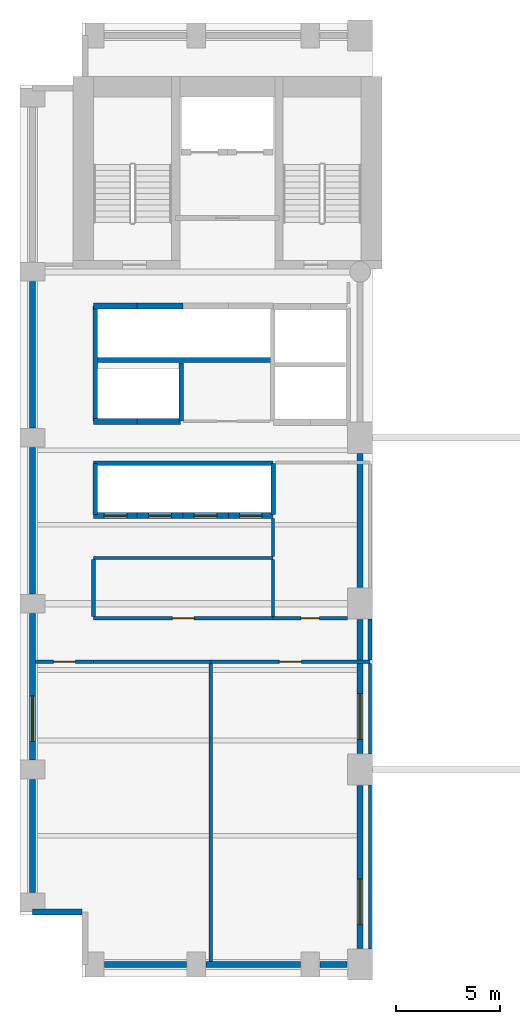
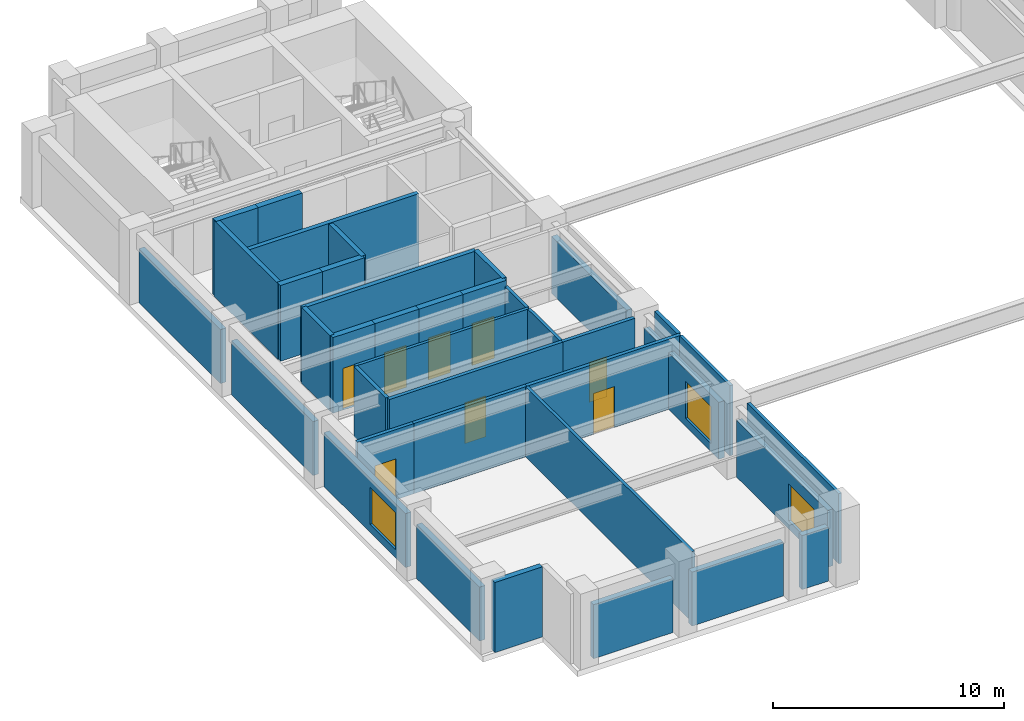
# One storey, part 2 of 7: 38 walls, 8 doors, 3 windows, 11 openings.
"""IFC4 building model written with IfcOpenShell, lengths in metres."""

from ifc_helpers import new_model, si_unit, direction, frame, frame_2d, origin, place, context, subcontext, project, spatial, rectangle, extrude, material, layer, layer_set, type_object, element, fill, save


model = new_model("IFC4")

# Units and contexts
model_context = context("Model", 3, precision=1e-05, world=origin(), true_north=direction((0.0, 1.0)))
body_context = subcontext(model_context, "Body", "Model", "MODEL_VIEW")
ifc_project = project(units=[si_unit("LENGTHUNIT", "METRE"), si_unit("AREAUNIT", "SQUARE_METRE"), si_unit("VOLUMEUNIT", "CUBIC_METRE"), si_unit("PLANEANGLEUNIT", "RADIAN"), si_unit("MASSUNIT", "GRAM", prefix="KILO")], contexts=[model_context])

# Site, building, storey
site_placement = place(None, origin())
site = spatial("IfcSite", under=ifc_project, at=site_placement, CompositionType="ELEMENT")
building_placement = place(site_placement, origin())
building = spatial("IfcBuilding", under=site, at=building_placement, Name="Sulina Concourse Tower", CompositionType="ELEMENT")
storey_placement = place(building_placement, frame((0.0, 0.0, 26.60009765625)))
storey = spatial("IfcBuildingStorey", under=building, at=storey_placement, Name="L06", CompositionType="ELEMENT", Elevation=26.60009765625)

# Walls
ifc_material_1 = material(Name="Concrete C50/60", Category="concrete")
ifc_layer_1 = layer(ifc_material_1, 0.219970703125)
ifc_layer_set_1 = layer_set([ifc_layer_1], Name="Concrete C50/60")
wall_type_1 = type_object("IfcWallType", Name="Core Lift Hoistway Divider Wall 220mm", PredefinedType="SOLIDWALL", material=ifc_layer_set_1)
wall_1_placement = place(storey_placement, frame((3.550048828125, 29.75, 0.0), z_axis=(0.0, 0.0, 1.0), x_axis=(1.0, 0.0, 0.0)))
element("IfcWall", 1, at=wall_1_placement, inside=storey, type_object=wall_type_1, Name="L06 shaft divider wall HW-LP3-S", PredefinedType="SOLIDWALL", context=body_context, shape_type="SweptSolid", body=[
    extrude(rectangle(XDim=8.64990234375, YDim=0.219970703125, at=frame_2d((4.324951171875, 0.0))), origin(), (0.0, 0.0, 1.0), 4.0),
])
wall_2_placement = place(storey_placement, frame((3.6298828125, 26.800048828125, 0.0), z_axis=(0.0, 0.0, 1.0), x_axis=(0.0, 1.0, 0.0)))
element("IfcWall", 2, at=wall_2_placement, inside=storey, type_object=wall_type_1, Name="L06 shaft divider wall HW-LP3-W", PredefinedType="SOLIDWALL", context=body_context, shape_type="SweptSolid", body=[
    extrude(rectangle(XDim=5.550048828125, YDim=0.219970703125, at=frame_2d((2.77490234375, 0.0))), origin(), (0.0, 0.0, 1.0), 4.0),
])
wall_3_placement = place(storey_placement, frame((7.780029296875, 26.800048828125, 0.0), z_axis=(0.0, 0.0, 1.0), x_axis=(0.0, 1.0, 0.0)))
element("IfcWall", 3, at=wall_3_placement, inside=storey, type_object=wall_type_1, Name="L06 shaft divider wall HW-EXP-E", PredefinedType="SOLIDWALL", context=body_context, shape_type="SweptSolid", body=[
    extrude(rectangle(XDim=2.800048828125, YDim=0.219970703125, at=frame_2d((1.39990234375, 0.0))), origin(), (0.0, 0.0, 1.0), 4.0),
])
wall_4_placement = place(storey_placement, frame((3.550048828125, 24.780029296875, 0.0), z_axis=(0.0, 0.0, 1.0), x_axis=(1.0, 0.0, 0.0)))
element("IfcWall", 4, at=wall_4_placement, inside=storey, type_object=wall_type_1, Name="L06 shaft divider wall HW-LP1-N", PredefinedType="SOLIDWALL", context=body_context, shape_type="SweptSolid", body=[
    extrude(rectangle(XDim=8.64990234375, YDim=0.219970703125, at=frame_2d((4.324951171875, 0.0))), origin(), (0.0, 0.0, 1.0), 4.0),
])
for number, where, z_axis, x_axis, name in (
    (5, (3.6298828125, 22.300048828125, 0.0), (0.0, 0.0, 1.0), (0.0, 1.0, 0.0), "L06 shaft divider wall HW-LP1-W"),
    (6, (12.219970703125, 22.300048828125, 0.0), (0.0, 0.0, 1.0), (0.0, 1.0, 0.0), "L06 shaft divider wall HW-LP1-E"),
):
    element("IfcWall", number, at=place(storey_placement, frame(where, z_axis=z_axis, x_axis=x_axis)), inside=storey, type_object=wall_type_1, Name=name, PredefinedType="SOLIDWALL", context=body_context, shape_type="SweptSolid", body=[
        extrude(rectangle(XDim=2.449951171875, YDim=0.219970703125, at=frame_2d((1.22509765625, 0.0))), origin(), (0.0, 0.0, 1.0), 4.0),
    ])

# Wall, opening, door
ifc_material_2 = material(Name="Concrete C50/60", Category="concrete")
ifc_layer_2 = layer(ifc_material_2, 0.300048828125)
ifc_layer_set_2 = layer_set([ifc_layer_2], Name="Concrete C50/60")
wall_type_2 = type_object("IfcWallType", Name="Core Lift Hoistway Wall 300mm", PredefinedType="SOLIDWALL", material=ifc_layer_set_2)
wall_5_placement = place(storey_placement, frame((5.64990234375, 22.25, 0.0), z_axis=(0.0, 0.0, 1.0), x_axis=(-1.0, 0.0, 0.0)))
wall_5 = element("IfcWall", 7, at=wall_5_placement, inside=storey, type_object=wall_type_2, Name="L06 hoistway enclosure wall LP-01", PredefinedType="SOLIDWALL", context=body_context, shape_type="SweptSolid", body=[
    extrude(rectangle(XDim=2.099853515625, YDim=0.300048828125, at=frame_2d((1.0498046875, 0.0))), origin(), (0.0, 0.0, 1.0), 4.0),
])
opening_1_placement = place(wall_5_placement, frame((0.5, 0.0, 0.0)))
opening_1 = element("IfcOpeningElement", 8, at=opening_1_placement, cuts=wall_5, Name="Opening LD-01", PredefinedType="OPENING", context=body_context, shape_type="SweptSolid", body=[
    extrude(rectangle(XDim=1.10009765625, YDim=2.199951171875, at=frame_2d((0.550048828125, 1.10009765625))), frame((0.0, 0.159912109375, 0.0), z_axis=(0.0, -1.0, 0.0), x_axis=(1.0, 0.0, 0.0)), (0.0, 0.0, 1.0), 0.320068359375),
])
ifc_material_3 = material(Name="Stainless steel lift landing door", Category="steel")
ifc_layer_3 = layer(ifc_material_3, 0.050048828125)
ifc_layer_set_3 = layer_set([ifc_layer_3], Name="Stainless steel lift landing door")
door_type_1 = type_object("IfcDoorType", Name="Passenger Lift Sliding Landing Door 1100x2200", OperationType="SLIDING_TO_LEFT", PredefinedType="DOOR", material=ifc_layer_set_3)
door_1_placement = place(opening_1_placement, origin())
door_1 = element("IfcDoor", 9, at=door_1_placement, inside=storey, type_object=door_type_1, Name="L06 lift landing sliding door LP-01", OperationType="SLIDING_TO_LEFT", OverallHeight=2.199951171875, OverallWidth=1.10009765625, PredefinedType="DOOR", context=body_context, shape_type="SweptSolid", body=[
    extrude(rectangle(XDim=1.10009765625, YDim=2.199951171875, at=frame_2d((0.550048828125, 1.10009765625))), frame((0.0, 0.02490234375, 0.0), z_axis=(0.0, -1.0, 0.0), x_axis=(1.0, 0.0, 0.0)), (0.0, 0.0, 1.0), 0.050048828125),
])
fill(opening_1, door_1)

wall_6_placement = place(storey_placement, frame((7.85009765625, 22.25, 0.0), z_axis=(0.0, 0.0, 1.0), x_axis=(-1.0, 0.0, 0.0)))
wall_6 = element("IfcWall", 10, at=wall_6_placement, inside=storey, type_object=wall_type_2, Name="L06 hoistway enclosure wall LP-02", PredefinedType="SOLIDWALL", context=body_context, shape_type="SweptSolid", body=[
    extrude(rectangle(XDim=2.2001953125, YDim=0.300048828125, at=frame_2d((1.10009765625, 0.0))), origin(), (0.0, 0.0, 1.0), 4.0),
])
opening_2_placement = place(wall_6_placement, frame((0.550048828125, 0.0, 0.0)))
opening_2 = element("IfcOpeningElement", 11, at=opening_2_placement, cuts=wall_6, Name="Opening LD-01", PredefinedType="OPENING", context=body_context, shape_type="SweptSolid", body=[
    extrude(rectangle(XDim=1.10009765625, YDim=2.199951171875, at=frame_2d((0.550048828125, 1.10009765625))), frame((0.0, 0.159912109375, 0.0), z_axis=(0.0, -1.0, 0.0), x_axis=(1.0, 0.0, 0.0)), (0.0, 0.0, 1.0), 0.320068359375),
])
door_2_placement = place(opening_2_placement, origin())
door_2 = element("IfcDoor", 12, at=door_2_placement, inside=storey, type_object=door_type_1, Name="L06 lift landing sliding door LP-02", OperationType="SLIDING_TO_RIGHT", OverallHeight=2.199951171875, OverallWidth=1.10009765625, PredefinedType="DOOR", context=body_context, shape_type="SweptSolid", body=[
    extrude(rectangle(XDim=1.10009765625, YDim=2.199951171875, at=frame_2d((0.550048828125, 1.10009765625))), frame((0.0, 0.02490234375, 0.0), z_axis=(0.0, -1.0, 0.0), x_axis=(1.0, 0.0, 0.0)), (0.0, 0.0, 1.0), 0.050048828125),
])
fill(opening_2, door_2)

wall_7_placement = place(storey_placement, frame((10.050048828125, 22.25, 0.0), z_axis=(0.0, 0.0, 1.0), x_axis=(-1.0, 0.0, 0.0)))
wall_7 = element("IfcWall", 13, at=wall_7_placement, inside=storey, type_object=wall_type_2, Name="L06 hoistway enclosure wall LP-03", PredefinedType="SOLIDWALL", context=body_context, shape_type="SweptSolid", body=[
    extrude(rectangle(XDim=2.199951171875, YDim=0.300048828125, at=frame_2d((1.10009765625, 0.0))), origin(), (0.0, 0.0, 1.0), 4.0),
])
opening_3_placement = place(wall_7_placement, frame((0.550048828125, 0.0, 0.0)))
opening_3 = element("IfcOpeningElement", 14, at=opening_3_placement, cuts=wall_7, Name="Opening LD-01", PredefinedType="OPENING", context=body_context, shape_type="SweptSolid", body=[
    extrude(rectangle(XDim=1.10009765625, YDim=2.199951171875, at=frame_2d((0.550048828125, 1.10009765625))), frame((0.0, 0.159912109375, 0.0), z_axis=(0.0, -1.0, 0.0), x_axis=(1.0, 0.0, 0.0)), (0.0, 0.0, 1.0), 0.320068359375),
])
door_3_placement = place(opening_3_placement, origin())
door_3 = element("IfcDoor", 15, at=door_3_placement, inside=storey, type_object=door_type_1, Name="L06 lift landing sliding door LP-03", OperationType="SLIDING_TO_LEFT", OverallHeight=2.199951171875, OverallWidth=1.10009765625, PredefinedType="DOOR", context=body_context, shape_type="SweptSolid", body=[
    extrude(rectangle(XDim=1.10009765625, YDim=2.199951171875, at=frame_2d((0.550048828125, 1.10009765625))), frame((0.0, 0.02490234375, 0.0), z_axis=(0.0, -1.0, 0.0), x_axis=(1.0, 0.0, 0.0)), (0.0, 0.0, 1.0), 0.050048828125),
])
fill(opening_3, door_3)

wall_8_placement = place(storey_placement, frame((12.199951171875, 22.25, 0.0), z_axis=(0.0, 0.0, 1.0), x_axis=(-1.0, 0.0, 0.0)))
wall_8 = element("IfcWall", 16, at=wall_8_placement, inside=storey, type_object=wall_type_2, Name="L06 hoistway enclosure wall LP-04", PredefinedType="SOLIDWALL", context=body_context, shape_type="SweptSolid", body=[
    extrude(rectangle(XDim=2.14990234375, YDim=0.300048828125, at=frame_2d((1.074951171875, 0.0))), origin(), (0.0, 0.0, 1.0), 4.0),
])
opening_4_placement = place(wall_8_placement, frame((0.52490234375, 0.0, 0.0)))
opening_4 = element("IfcOpeningElement", 17, at=opening_4_placement, cuts=wall_8, Name="Opening LD-01", PredefinedType="OPENING", context=body_context, shape_type="SweptSolid", body=[
    extrude(rectangle(XDim=1.10009765625, YDim=2.199951171875, at=frame_2d((0.550048828125, 1.10009765625))), frame((0.0, 0.159912109375, 0.0), z_axis=(0.0, -1.0, 0.0), x_axis=(1.0, 0.0, 0.0)), (0.0, 0.0, 1.0), 0.320068359375),
])
door_4_placement = place(opening_4_placement, origin())
door_4 = element("IfcDoor", 18, at=door_4_placement, inside=storey, type_object=door_type_1, Name="L06 lift landing sliding door LP-04", OperationType="SLIDING_TO_RIGHT", OverallHeight=2.199951171875, OverallWidth=1.10009765625, PredefinedType="DOOR", context=body_context, shape_type="SweptSolid", body=[
    extrude(rectangle(XDim=1.10009765625, YDim=2.199951171875, at=frame_2d((0.550048828125, 1.10009765625))), frame((0.0, 0.02490234375, 0.0), z_axis=(0.0, -1.0, 0.0), x_axis=(1.0, 0.0, 0.0)), (0.0, 0.0, 1.0), 0.050048828125),
])
fill(opening_4, door_4)

# Walls
wall_9_placement = place(storey_placement, frame((3.550048828125, 32.35009765625, 0.0), z_axis=(0.0, 0.0, 1.0), x_axis=(1.0, 0.0, 0.0)))
element("IfcWall", 19, at=wall_9_placement, inside=storey, type_object=wall_type_2, Name="L06 hoistway enclosure wall LP-09", PredefinedType="SOLIDWALL", context=body_context, shape_type="SweptSolid", body=[
    extrude(rectangle(XDim=2.099853515625, YDim=0.300048828125, at=frame_2d((1.0498046875, 0.0))), origin(), (0.0, 0.0, 1.0), 4.0),
])
wall_10_placement = place(storey_placement, frame((5.64990234375, 32.35009765625, 0.0), z_axis=(0.0, 0.0, 1.0), x_axis=(1.0, 0.0, 0.0)))
element("IfcWall", 20, at=wall_10_placement, inside=storey, type_object=wall_type_2, Name="L06 hoistway enclosure wall LP-10", PredefinedType="SOLIDWALL", context=body_context, shape_type="SweptSolid", body=[
    extrude(rectangle(XDim=2.2001953125, YDim=0.300048828125, at=frame_2d((1.10009765625, 0.0))), origin(), (0.0, 0.0, 1.0), 4.0),
])
wall_11_placement = place(storey_placement, frame((5.64990234375, 26.780029296875, 0.0), z_axis=(0.0, 0.0, 1.0), x_axis=(-1.0, 0.0, 0.0)))
element("IfcWall", 21, at=wall_11_placement, inside=storey, type_object=wall_type_2, Name="L06 hoistway enclosure wall EXP-1", PredefinedType="SOLIDWALL", context=body_context, shape_type="SweptSolid", body=[
    extrude(rectangle(XDim=2.099853515625, YDim=0.300048828125, at=frame_2d((1.0498046875, 0.0))), origin(), (0.0, 0.0, 1.0), 4.0),
])
wall_12_placement = place(storey_placement, frame((7.75, 26.780029296875, 0.0), z_axis=(0.0, 0.0, 1.0), x_axis=(-1.0, 0.0, 0.0)))
element("IfcWall", 22, at=wall_12_placement, inside=storey, type_object=wall_type_2, Name="L06 hoistway enclosure wall EXP-2", PredefinedType="SOLIDWALL", context=body_context, shape_type="SweptSolid", body=[
    extrude(rectangle(XDim=2.10009765625, YDim=0.300048828125, at=frame_2d((1.050048828125, 0.0))), origin(), (0.0, 0.0, 1.0), 4.0),
])
ifc_material_4 = material(Name="Gypsum board on steel stud", Category="steel")
ifc_layer_4 = layer(ifc_material_4, 0.14990234375)
ifc_layer_set_4 = layer_set([ifc_layer_4], Name="Gypsum board on steel stud")
wall_type_3 = type_object("IfcWallType", Name="Inter-Tenancy Acoustic Partition 150mm", PredefinedType="PARTITIONING", material=ifc_layer_set_4)
wall_13_placement = place(storey_placement, frame((3.550048828125, 20.199951171875, 0.0), z_axis=(0.0, 0.0, 1.0), x_axis=(1.0, 0.0, 0.0)))
element("IfcWall", 23, at=wall_13_placement, inside=storey, type_object=wall_type_3, Name="L06 interior partition 010", PredefinedType="PARTITIONING", context=body_context, shape_type="SweptSolid", body=[
    extrude(rectangle(XDim=8.64990234375, YDim=0.14990234375, at=frame_2d((4.324951171875, 0.0))), origin(), (0.0, 0.0, 1.0), 3.699951171875),
])
wall_14_placement = place(storey_placement, frame((9.199951171875, 0.739990234375, 0.0), z_axis=(0.0, 0.0, 1.0), x_axis=(0.0, 1.0, 0.0)))
element("IfcWall", 24, at=wall_14_placement, inside=storey, type_object=wall_type_3, Name="L06 interior partition 025", PredefinedType="PARTITIONING", context=body_context, shape_type="SweptSolid", body=[
    extrude(rectangle(XDim=14.3701171875, YDim=0.14990234375, at=frame_2d((7.18505859375, 0.0))), origin(), (0.0, 0.0, 1.0), 3.699951171875),
])
wall_15_placement = place(storey_placement, frame((12.199951171875, 17.389892578125, 0.0), z_axis=(0.0, 0.0, 1.0), x_axis=(0.0, 1.0, 0.0)))
element("IfcWall", 25, at=wall_15_placement, inside=storey, type_object=wall_type_3, Name="L06 interior partition 026", PredefinedType="PARTITIONING", context=body_context, shape_type="SweptSolid", body=[
    extrude(rectangle(XDim=2.735107421875, YDim=0.14990234375, at=frame_2d((1.36767578125, 0.0))), origin(), (0.0, 0.0, 1.0), 3.699951171875),
])
wall_16_placement = place(storey_placement, frame((12.199951171875, 20.27490234375, 0.0), z_axis=(0.0, 0.0, 1.0), x_axis=(0.0, 1.0, 0.0)))
element("IfcWall", 26, at=wall_16_placement, inside=storey, type_object=wall_type_3, Name="L06 interior partition 027", PredefinedType="PARTITIONING", context=body_context, shape_type="SweptSolid", body=[
    extrude(rectangle(XDim=1.8251953125, YDim=0.14990234375, at=frame_2d((0.91259765625, 0.0))), origin(), (0.0, 0.0, 1.0), 3.699951171875),
])
wall_17_placement = place(storey_placement, frame((16.8798828125, 1.35009765625, 0.0), z_axis=(0.0, 0.0, 1.0), x_axis=(0.0, 1.0, 0.0)))
element("IfcWall", 27, at=wall_17_placement, inside=storey, type_object=wall_type_3, Name="L06 interior partition 029", PredefinedType="PARTITIONING", context=body_context, shape_type="SweptSolid", body=[
    extrude(rectangle(XDim=7.89990234375, YDim=0.14990234375, at=frame_2d((3.949951171875, 0.0))), origin(), (0.0, 0.0, 1.0), 3.699951171875),
])
wall_18_placement = place(storey_placement, frame((16.8798828125, 10.75, 0.0), z_axis=(0.0, 0.0, 1.0), x_axis=(0.0, 1.0, 0.0)))
element("IfcWall", 28, at=wall_18_placement, inside=storey, type_object=wall_type_3, Name="L06 interior partition 030", PredefinedType="PARTITIONING", context=body_context, shape_type="SweptSolid", body=[
    extrude(rectangle(XDim=4.360107421875, YDim=0.14990234375, at=frame_2d((2.18017578125, 0.0))), origin(), (0.0, 0.0, 1.0), 3.699951171875),
])

# Wall, opening, door
ifc_material_5 = material(Name="Gypsum board on steel stud", Category="steel")
ifc_layer_5 = layer(ifc_material_5, 0.179931640625)
ifc_layer_set_5 = layer_set([ifc_layer_5], Name="Gypsum board on steel stud")
wall_type_4 = type_object("IfcWallType", Name="Protected Corridor & Riser Partition 180mm", PredefinedType="PARTITIONING", material=ifc_layer_set_5)
wall_19_placement = place(storey_placement, frame((0.739990234375, 15.199951171875, 0.0), z_axis=(0.0, 0.0, 1.0), x_axis=(1.0, 0.0, 0.0)))
wall_19 = element("IfcWall", 29, at=wall_19_placement, inside=storey, type_object=wall_type_4, Name="L06 interior partition 004", PredefinedType="PARTITIONING", context=body_context, shape_type="SweptSolid", body=[
    extrude(rectangle(XDim=2.81005859375, YDim=0.179931640625, at=frame_2d((1.405029296875, 0.0))), origin(), (0.0, 0.0, 1.0), 3.699951171875),
])
opening_5_placement = place(wall_19_placement, frame((0.8798828125, 0.0, 0.0)))
opening_5 = element("IfcOpeningElement", 30, at=opening_5_placement, cuts=wall_19, Name="Opening DR-37", PredefinedType="OPENING", context=body_context, shape_type="SweptSolid", body=[
    extrude(rectangle(XDim=1.050048828125, YDim=2.14990234375, at=frame_2d((0.52490234375, 1.074951171875))), frame((0.0, 0.099853515625, 0.0), z_axis=(0.0, -1.0, 0.0), x_axis=(1.0, 0.0, 0.0)), (0.0, 0.0, 1.0), 0.199951171875),
])
ifc_material_6 = material(Name="Oak-veneered fire door leaf")
ifc_layer_6 = layer(ifc_material_6, 0.050048828125)
ifc_layer_set_6 = layer_set([ifc_layer_6], Name="Oak-veneered fire door leaf")
door_type_2 = type_object("IfcDoorType", Name="Tenant Suite Entrance Fire Door 1050x2150", OperationType="NOTDEFINED", PredefinedType="DOOR", material=ifc_layer_set_6)
door_5_placement = place(opening_5_placement, origin())
door_5 = element("IfcDoor", 31, at=door_5_placement, inside=storey, type_object=door_type_2, Name="L06 interior door L06-OFF-W1", OperationType="SINGLE_SWING_RIGHT", OverallHeight=2.14990234375, OverallWidth=1.050048828125, PredefinedType="DOOR", context=body_context, shape_type="SweptSolid", body=[
    extrude(rectangle(XDim=1.050048828125, YDim=2.14990234375, at=frame_2d((0.52490234375, 1.074951171875))), frame((0.0, 0.02490234375, 0.0), z_axis=(0.0, -1.0, 0.0), x_axis=(1.0, 0.0, 0.0)), (0.0, 0.0, 1.0), 0.050048828125),
])
fill(opening_5, door_5)

# Wall
wall_20_placement = place(storey_placement, frame((3.550048828125, 15.199951171875, 0.0), z_axis=(0.0, 0.0, 1.0), x_axis=(1.0, 0.0, 0.0)))
element("IfcWall", 32, at=wall_20_placement, inside=storey, type_object=wall_type_4, Name="L06 interior partition 005", PredefinedType="PARTITIONING", context=body_context, shape_type="SweptSolid", body=[
    extrude(rectangle(XDim=5.64990234375, YDim=0.179931640625, at=frame_2d((2.824951171875, 0.0))), origin(), (0.0, 0.0, 1.0), 3.699951171875),
])

# Wall, opening, door
wall_21_placement = place(storey_placement, frame((9.199951171875, 15.199951171875, 0.0), z_axis=(0.0, 0.0, 1.0), x_axis=(1.0, 0.0, 0.0)))
wall_21 = element("IfcWall", 33, at=wall_21_placement, inside=storey, type_object=wall_type_4, Name="L06 interior partition 006", PredefinedType="PARTITIONING", context=body_context, shape_type="SweptSolid", body=[
    extrude(rectangle(XDim=7.679931640625, YDim=0.179931640625, at=frame_2d((3.83984375, 0.0))), origin(), (0.0, 0.0, 1.0), 3.699951171875),
])
opening_6_placement = place(wall_21_placement, frame((3.31494140625, 0.0, 0.0)))
opening_6 = element("IfcOpeningElement", 34, at=opening_6_placement, cuts=wall_21, Name="Opening DR-37", PredefinedType="OPENING", context=body_context, shape_type="SweptSolid", body=[
    extrude(rectangle(XDim=1.050048828125, YDim=2.14990234375, at=frame_2d((0.52490234375, 1.074951171875))), frame((0.0, 0.099853515625, 0.0), z_axis=(0.0, -1.0, 0.0), x_axis=(1.0, 0.0, 0.0)), (0.0, 0.0, 1.0), 0.199951171875),
])
door_6_placement = place(opening_6_placement, origin())
door_6 = element("IfcDoor", 35, at=door_6_placement, inside=storey, type_object=door_type_2, Name="L06 interior door L06-MTG-W1", OperationType="SINGLE_SWING_LEFT", OverallHeight=2.14990234375, OverallWidth=1.050048828125, PredefinedType="DOOR", context=body_context, shape_type="SweptSolid", body=[
    extrude(rectangle(XDim=1.050048828125, YDim=2.14990234375, at=frame_2d((0.52490234375, 1.074951171875))), frame((0.0, 0.02490234375, 0.0), z_axis=(0.0, -1.0, 0.0), x_axis=(1.0, 0.0, 0.0)), (0.0, 0.0, 1.0), 0.050048828125),
])
fill(opening_6, door_6)

wall_22_placement = place(storey_placement, frame((3.550048828125, 17.300048828125, 0.0), z_axis=(0.0, 0.0, 1.0), x_axis=(1.0, 0.0, 0.0)))
wall_22 = element("IfcWall", 36, at=wall_22_placement, inside=storey, type_object=wall_type_4, Name="L06 interior partition 008", PredefinedType="PARTITIONING", context=body_context, shape_type="SweptSolid", body=[
    extrude(rectangle(XDim=8.64990234375, YDim=0.179931640625, at=frame_2d((4.324951171875, 0.0))), origin(), (0.0, 0.0, 1.0), 3.699951171875),
])
opening_7_placement = place(wall_22_placement, frame((3.800048828125, 0.0, 0.0)))
opening_7 = element("IfcOpeningElement", 37, at=opening_7_placement, cuts=wall_22, Name="Opening DR-37", PredefinedType="OPENING", context=body_context, shape_type="SweptSolid", body=[
    extrude(rectangle(XDim=1.050048828125, YDim=2.14990234375, at=frame_2d((0.52490234375, 1.074951171875))), frame((0.0, 0.099853515625, 0.0), z_axis=(0.0, -1.0, 0.0), x_axis=(1.0, 0.0, 0.0)), (0.0, 0.0, 1.0), 0.199951171875),
])
door_7_placement = place(opening_7_placement, origin())
door_7 = element("IfcDoor", 38, at=door_7_placement, inside=storey, type_object=door_type_2, Name="L06 interior door L06-PNT-W0", OperationType="SINGLE_SWING_RIGHT", OverallHeight=2.14990234375, OverallWidth=1.050048828125, PredefinedType="DOOR", context=body_context, shape_type="SweptSolid", body=[
    extrude(rectangle(XDim=1.050048828125, YDim=2.14990234375, at=frame_2d((0.52490234375, 1.074951171875))), frame((0.0, 0.02490234375, 0.0), z_axis=(0.0, -1.0, 0.0), x_axis=(1.0, 0.0, 0.0)), (0.0, 0.0, 1.0), 0.050048828125),
])
fill(opening_7, door_7)

wall_23_placement = place(storey_placement, frame((12.199951171875, 17.300048828125, 0.0), z_axis=(0.0, 0.0, 1.0), x_axis=(1.0, 0.0, 0.0)))
wall_23 = element("IfcWall", 39, at=wall_23_placement, inside=storey, type_object=wall_type_4, Name="L06 interior partition 009", PredefinedType="PARTITIONING", context=body_context, shape_type="SweptSolid", body=[
    extrude(rectangle(XDim=3.60009765625, YDim=0.179931640625, at=frame_2d((1.800048828125, 0.0))), origin(), (0.0, 0.0, 1.0), 3.699951171875),
])
opening_8_placement = place(wall_23_placement, frame((1.360107421875, 0.0, 0.0)))
opening_8 = element("IfcOpeningElement", 40, at=opening_8_placement, cuts=wall_23, Name="Opening DR-38", PredefinedType="OPENING", context=body_context, shape_type="SweptSolid", body=[
    extrude(rectangle(XDim=0.8798828125, YDim=2.10009765625, at=frame_2d((0.43994140625, 1.050048828125))), frame((0.0, 0.099853515625, 0.0), z_axis=(0.0, -1.0, 0.0), x_axis=(1.0, 0.0, 0.0)), (0.0, 0.0, 1.0), 0.199951171875),
])
ifc_material_7 = material(Name="Galvanised steel acoustic fire leaf", Category="steel")
ifc_layer_7 = layer(ifc_material_7, 0.050048828125)
ifc_layer_set_7 = layer_set([ifc_layer_7], Name="Galvanised steel acoustic fire leaf")
door_type_3 = type_object("IfcDoorType", Name="Service Riser Fire Door 880x2100", OperationType="NOTDEFINED", PredefinedType="DOOR", material=ifc_layer_set_7)
door_8_placement = place(opening_8_placement, origin())
door_8 = element("IfcDoor", 41, at=door_8_placement, inside=storey, type_object=door_type_3, Name="L06 interior door L06-STR-W0", OperationType="SINGLE_SWING_LEFT", OverallHeight=2.10009765625, OverallWidth=0.8798828125, PredefinedType="DOOR", context=body_context, shape_type="SweptSolid", body=[
    extrude(rectangle(XDim=0.8798828125, YDim=2.10009765625, at=frame_2d((0.43994140625, 1.050048828125))), frame((0.0, 0.02490234375, 0.0), z_axis=(0.0, -1.0, 0.0), x_axis=(1.0, 0.0, 0.0)), (0.0, 0.0, 1.0), 0.050048828125),
])
fill(opening_8, door_8)

# Walls
wall_24_placement = place(storey_placement, frame((3.550048828125, 17.389892578125, 0.0), z_axis=(0.0, 0.0, 1.0), x_axis=(0.0, 1.0, 0.0)))
element("IfcWall", 42, at=wall_24_placement, inside=storey, type_object=wall_type_4, Name="L06 interior partition 024", PredefinedType="PARTITIONING", context=body_context, shape_type="SweptSolid", body=[
    extrude(rectangle(XDim=2.735107421875, YDim=0.179931640625, at=frame_2d((1.36767578125, 0.0))), origin(), (0.0, 0.0, 1.0), 3.699951171875),
])
wall_25_placement = place(storey_placement, frame((16.8798828125, 15.2900390625, 0.0), z_axis=(0.0, 0.0, 1.0), x_axis=(0.0, 1.0, 0.0)))
element("IfcWall", 43, at=wall_25_placement, inside=storey, type_object=wall_type_4, Name="L06 interior partition 031", PredefinedType="PARTITIONING", context=body_context, shape_type="SweptSolid", body=[
    extrude(rectangle(XDim=1.9599609375, YDim=0.179931640625, at=frame_2d((0.97998046875, 0.0))), origin(), (0.0, 0.0, 1.0), 3.699951171875),
])
ifc_material_8 = material(Name="Precast concrete C50/60", Category="concrete")
ifc_layer_8 = layer(ifc_material_8, 0.280029296875)
ifc_layer_set_8 = layer_set([ifc_layer_8], Name="Precast concrete C50/60")
wall_type_5 = type_object("IfcWallType", Name="Typical Precast Masonry-Frame Facade Wall 280mm", PredefinedType="SOLIDWALL", material=ifc_layer_set_8)
wall_26_placement = place(storey_placement, frame((8.030029296875, 0.60009765625, 0.0), z_axis=(0.0, 0.0, 1.0), x_axis=(-1.0, 0.0, 0.0)))
element("IfcWall", 44, at=wall_26_placement, inside=storey, type_object=wall_type_5, Name="L06 exterior precast wall S1", PredefinedType="SOLIDWALL", context=body_context, shape_type="SweptSolid", body=[
    extrude(rectangle(XDim=3.9599609375, YDim=0.280029296875, at=frame_2d((1.97998046875, 0.0))), origin(), (0.0, 0.0, 1.0), 2.849853515625),
])
wall_27_placement = place(storey_placement, frame((13.530029296875, 0.60009765625, 0.0), z_axis=(0.0, 0.0, 1.0), x_axis=(-1.0, 0.0, 0.0)))
element("IfcWall", 45, at=wall_27_placement, inside=storey, type_object=wall_type_5, Name="L06 exterior precast wall S2", PredefinedType="SOLIDWALL", context=body_context, shape_type="SweptSolid", body=[
    extrude(rectangle(XDim=4.56005859375, YDim=0.280029296875, at=frame_2d((2.280029296875, 0.0))), origin(), (0.0, 0.0, 1.0), 2.849853515625),
])
wall_28_placement = place(storey_placement, frame((15.780029296875, 0.60009765625, 0.0), z_axis=(0.0, 0.0, 1.0), x_axis=(-1.0, 0.0, 0.0)))
element("IfcWall", 46, at=wall_28_placement, inside=storey, type_object=wall_type_5, Name="L06 exterior precast wall S3", PredefinedType="SOLIDWALL", context=body_context, shape_type="SweptSolid", body=[
    extrude(rectangle(XDim=1.31005859375, YDim=0.280029296875, at=frame_2d((0.655029296875, 0.0))), origin(), (0.0, 0.0, 1.0), 2.849853515625),
])
wall_29_placement = place(storey_placement, frame((0.60009765625, 4.070068359375, 0.0), z_axis=(0.0, 0.0, 1.0), x_axis=(0.0, 1.0, 0.0)))
element("IfcWall", 47, at=wall_29_placement, inside=storey, type_object=wall_type_5, Name="L06 exterior precast wall W1", PredefinedType="SOLIDWALL", context=body_context, shape_type="SweptSolid", body=[
    extrude(rectangle(XDim=5.4599609375, YDim=0.280029296875, at=frame_2d((2.72998046875, 0.0))), origin(), (0.0, 0.0, 1.0), 2.849853515625),
])

# Wall, opening, window
wall_30_placement = place(storey_placement, frame((0.60009765625, 10.469970703125, 0.0), z_axis=(0.0, 0.0, 1.0), x_axis=(0.0, 1.0, 0.0)))
wall_30 = element("IfcWall", 48, at=wall_30_placement, inside=storey, type_object=wall_type_5, Name="L06 exterior precast wall W2", PredefinedType="SOLIDWALL", context=body_context, shape_type="SweptSolid", body=[
    extrude(rectangle(XDim=7.06005859375, YDim=0.280029296875, at=frame_2d((3.530029296875, 0.0))), origin(), (0.0, 0.0, 1.0), 2.849853515625),
])
opening_9_placement = place(wall_30_placement, frame((0.88671875, 0.0, 0.419921875)))
opening_9 = element("IfcOpeningElement", 49, at=opening_9_placement, cuts=wall_30, Name="Opening WN-76", PredefinedType="OPENING", context=body_context, shape_type="SweptSolid", body=[
    extrude(rectangle(XDim=2.199951171875, YDim=1.949951171875, at=frame_2d((1.10009765625, 0.97509765625))), frame((0.0, 0.14990234375, 0.0), z_axis=(0.0, -1.0, 0.0), x_axis=(1.0, 0.0, 0.0)), (0.0, 0.0, 1.0), 0.300048828125),
])
ifc_material_9 = material(Name="Low-E solar double glazing in bronze aluminium", Category="aluminium")
window_type = type_object("IfcWindowType", Name="Recessed Spandrel Window 2200x1950", PartitioningType="DOUBLE_PANEL_VERTICAL", PredefinedType="WINDOW", material=ifc_material_9)
window_1_placement = place(opening_9_placement, origin())
window_1 = element("IfcWindow", 50, at=window_1_placement, inside=storey, type_object=window_type, Name="L06 punched window W2-1", OverallHeight=1.949951171875, OverallWidth=2.199951171875, PartitioningType="SINGLE_PANEL", PredefinedType="WINDOW", context=body_context, shape_type="SweptSolid", body=[
    extrude(rectangle(XDim=2.199951171875, YDim=1.949951171875, at=frame_2d((1.10009765625, 0.97509765625))), frame((0.0, 0.030029296875, 0.0), z_axis=(0.0, -1.0, 0.0), x_axis=(1.0, 0.0, 0.0)), (0.0, 0.0, 1.0), 0.06005859375),
])
fill(opening_9, window_1)

# Walls
for number, where, z_axis, x_axis, name in (
    (51, (0.60009765625, 18.469970703125, 0.0), (0.0, 0.0, 1.0), (0.0, 1.0, 0.0), "L06 exterior precast wall W3"),
    (52, (0.60009765625, 26.469970703125, 0.0), (0.0, 0.0, 1.0), (0.0, 1.0, 0.0), "L06 exterior precast wall W4"),
):
    element("IfcWall", number, at=place(storey_placement, frame(where, z_axis=z_axis, x_axis=x_axis)), inside=storey, type_object=wall_type_5, Name=name, PredefinedType="SOLIDWALL", context=body_context, shape_type="SweptSolid", body=[
        extrude(rectangle(XDim=7.06005859375, YDim=0.280029296875, at=frame_2d((3.530029296875, 0.0))), origin(), (0.0, 0.0, 1.0), 2.849853515625),
    ])
wall_31_placement = place(storey_placement, frame((2.985107421875, 3.1298828125, 0.0), z_axis=(0.0, 0.0, 1.0), x_axis=(-1.0, 0.0, 0.0)))
element("IfcWall", 53, at=wall_31_placement, inside=storey, type_object=wall_type_5, Name="L06 exterior precast wall CSW2", PredefinedType="SOLIDWALL", context=body_context, shape_type="SweptSolid", body=[
    extrude(rectangle(XDim=2.385009765625, YDim=0.280029296875, at=frame_2d((1.1923828125, 0.0))), origin(), (0.0, 0.0, 1.0), 3.699951171875),
])

# Wall, opening, window
wall_32_placement = place(storey_placement, frame((16.39990234375, 9.22998046875, 0.0), z_axis=(0.0, 0.0, 1.0), x_axis=(0.0, -1.0, 0.0)))
wall_32 = element("IfcWall", 54, at=wall_32_placement, inside=storey, type_object=wall_type_5, Name="L06 exterior precast wall PW1", PredefinedType="SOLIDWALL", context=body_context, shape_type="SweptSolid", body=[
    extrude(rectangle(XDim=7.85986328125, YDim=0.280029296875, at=frame_2d((3.929931640625, 0.0))), origin(), (0.0, 0.0, 1.0), 3.0),
])
opening_10_placement = place(wall_32_placement, frame((4.506591796875, 0.0, 0.419921875)))
opening_10 = element("IfcOpeningElement", 55, at=opening_10_placement, cuts=wall_32, Name="Opening WN-76", PredefinedType="OPENING", context=body_context, shape_type="SweptSolid", body=[
    extrude(rectangle(XDim=2.199951171875, YDim=1.949951171875, at=frame_2d((1.10009765625, 0.97509765625))), frame((0.0, 0.14990234375, 0.0), z_axis=(0.0, -1.0, 0.0), x_axis=(1.0, 0.0, 0.0)), (0.0, 0.0, 1.0), 0.300048828125),
])
window_2_placement = place(opening_10_placement, origin())
window_2 = element("IfcWindow", 56, at=window_2_placement, inside=storey, type_object=window_type, Name="L06 punched window PW1-1", OverallHeight=1.949951171875, OverallWidth=2.199951171875, PartitioningType="SINGLE_PANEL", PredefinedType="WINDOW", context=body_context, shape_type="SweptSolid", body=[
    extrude(rectangle(XDim=2.199951171875, YDim=1.949951171875, at=frame_2d((1.10009765625, 0.97509765625))), frame((0.0, 0.030029296875, 0.0), z_axis=(0.0, -1.0, 0.0), x_axis=(1.0, 0.0, 0.0)), (0.0, 0.0, 1.0), 0.06005859375),
])
fill(opening_10, window_2)

wall_33_placement = place(storey_placement, frame((16.39990234375, 17.22998046875, 0.0), z_axis=(0.0, 0.0, 1.0), x_axis=(0.0, -1.0, 0.0)))
wall_33 = element("IfcWall", 57, at=wall_33_placement, inside=storey, type_object=wall_type_5, Name="L06 exterior precast wall PW2", PredefinedType="SOLIDWALL", context=body_context, shape_type="SweptSolid", body=[
    extrude(rectangle(XDim=6.4599609375, YDim=0.280029296875, at=frame_2d((3.22998046875, 0.0))), origin(), (0.0, 0.0, 1.0), 3.0),
])
opening_11_placement = place(wall_33_placement, frame((3.5732421875, 0.0, 0.419921875)))
opening_11 = element("IfcOpeningElement", 58, at=opening_11_placement, cuts=wall_33, Name="Opening WN-76", PredefinedType="OPENING", context=body_context, shape_type="SweptSolid", body=[
    extrude(rectangle(XDim=2.199951171875, YDim=1.949951171875, at=frame_2d((1.10009765625, 0.97509765625))), frame((0.0, 0.14990234375, 0.0), z_axis=(0.0, -1.0, 0.0), x_axis=(1.0, 0.0, 0.0)), (0.0, 0.0, 1.0), 0.300048828125),
])
window_3_placement = place(opening_11_placement, origin())
window_3 = element("IfcWindow", 59, at=window_3_placement, inside=storey, type_object=window_type, Name="L06 punched window PW2-1", OverallHeight=1.949951171875, OverallWidth=2.199951171875, PartitioningType="SINGLE_PANEL", PredefinedType="WINDOW", context=body_context, shape_type="SweptSolid", body=[
    extrude(rectangle(XDim=2.199951171875, YDim=1.949951171875, at=frame_2d((1.10009765625, 0.97509765625))), frame((0.0, 0.030029296875, 0.0), z_axis=(0.0, -1.0, 0.0), x_axis=(1.0, 0.0, 0.0)), (0.0, 0.0, 1.0), 0.06005859375),
])
fill(opening_11, window_3)

# Wall
wall_34_placement = place(storey_placement, frame((16.39990234375, 25.22998046875, 0.0), z_axis=(0.0, 0.0, 1.0), x_axis=(0.0, -1.0, 0.0)))
element("IfcWall", 60, at=wall_34_placement, inside=storey, type_object=wall_type_5, Name="L06 exterior precast wall PW3", PredefinedType="SOLIDWALL", context=body_context, shape_type="SweptSolid", body=[
    extrude(rectangle(XDim=6.4599609375, YDim=0.280029296875, at=frame_2d((3.22998046875, 0.0))), origin(), (0.0, 0.0, 1.0), 3.0),
])

save(model, "model.ifc")
